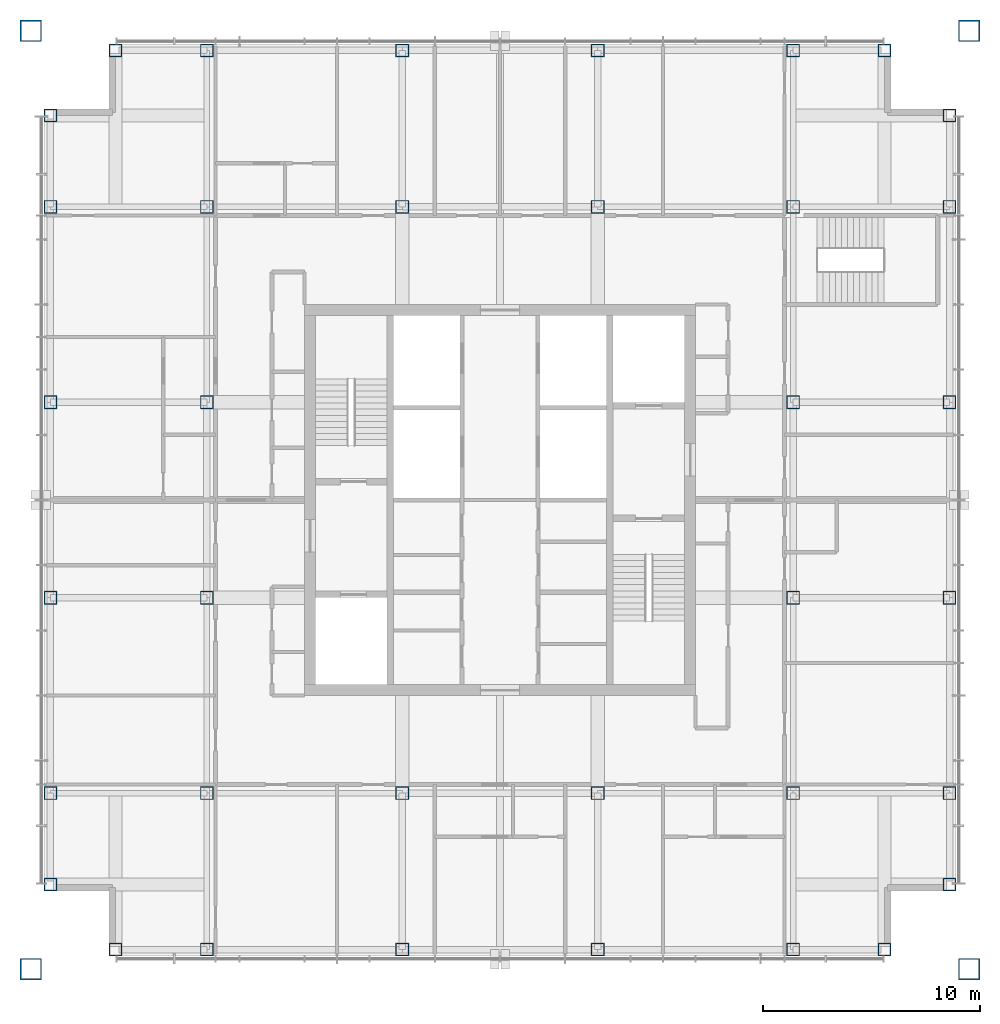
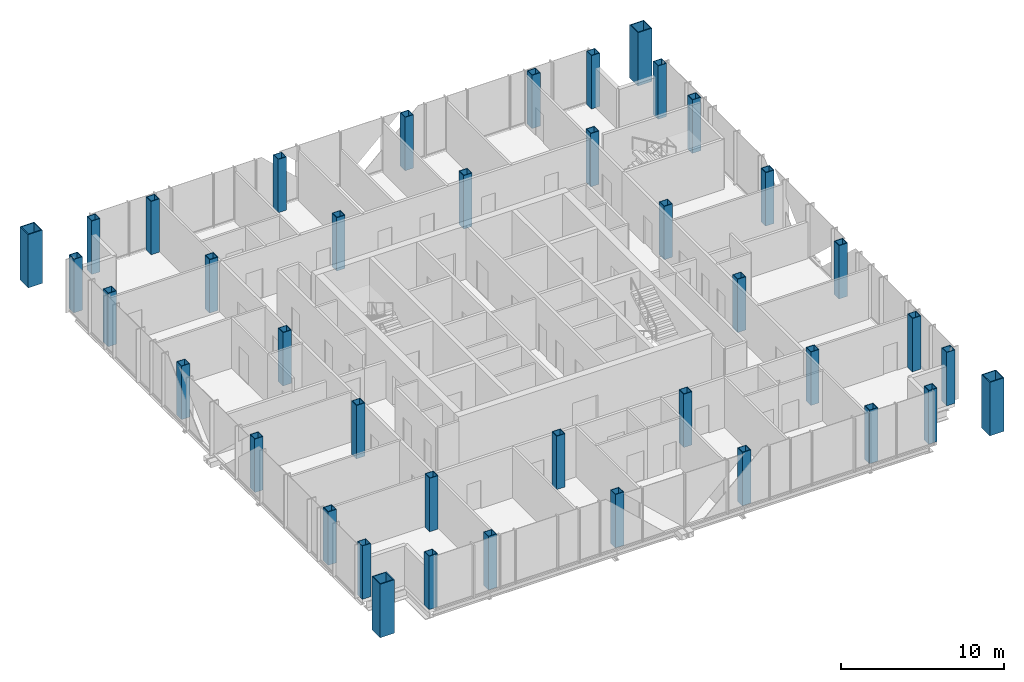
# One storey, part 1 of 12: 40 columns.
"""IFC4 building model written with IfcOpenShell, lengths in metres."""

from ifc_helpers import new_model, si_unit, direction, frame, origin, origin_2d, place, context, subcontext, project, spatial, hollow_rectangle, extrude, material, material_profile, profile_set, type_object, element, save


model = new_model("IFC4")

# Units and contexts
model_context = context("Model", 3, precision=1e-05, world=origin(), true_north=direction((0.0, 1.0)))
body_context = subcontext(model_context, "Body", "Model", "MODEL_VIEW")
ifc_project = project(units=[si_unit("LENGTHUNIT", "METRE"), si_unit("AREAUNIT", "SQUARE_METRE"), si_unit("VOLUMEUNIT", "CUBIC_METRE"), si_unit("PLANEANGLEUNIT", "RADIAN"), si_unit("MASSUNIT", "GRAM", prefix="KILO")], contexts=[model_context])

# Site, building, storey
site_placement = place(None, origin())
site = spatial("IfcSite", under=ifc_project, at=site_placement, CompositionType="ELEMENT")
building_placement = place(site_placement, origin())
building = spatial("IfcBuilding", under=site, at=building_placement, Name="Malebo Sky Hospital", CompositionType="ELEMENT")
storey_placement = place(building_placement, frame((0.0, 0.0, 270.0)))
storey = spatial("IfcBuildingStorey", under=building, at=storey_placement, Name="L65", CompositionType="ELEMENT", Elevation=270.0)

# Columns
ifc_material = material(Name="Steel S460", Category="steel")
ifc_material_profile_1 = material_profile(ifc_material, hollow_rectangle(XDim=0.60009765625, YDim=0.60009765625, WallThickness=0.0400390625, at=origin_2d()), Name="BOX 600x600x40")
ifc_profile_set_1 = profile_set([ifc_material_profile_1], Name="Steel S460")
column_type_1 = type_object("IfcColumnType", Name="INNER COLUMN BOX 600x600x40", PredefinedType="COLUMN", material=ifc_profile_set_1)
for number, where, z_axis, x_axis, name in (
    (1, (46.5, 48.5, 0.0), (0.0, 0.0, 1.0), (1.0, 0.0, 0.0), "Column IC4 L65"),
    (2, (73.5, 48.5, 0.0), (0.0, 0.0, 1.0), (1.0, 0.0, 0.0), "Column IC4 L65"),
    (3, (73.5, 75.5, 0.0), (0.0, 0.0, 1.0), (1.0, 0.0, 0.0), "Column IC4 L65"),
    (4, (46.5, 75.5, 0.0), (0.0, 0.0, 1.0), (1.0, 0.0, 0.0), "Column IC4 L65"),
    (5, (55.5, 48.5, 0.0), (0.0, 0.0, 1.0), (1.0, 0.0, 0.0), "Column IC4 L65"),
    (6, (64.5, 48.5, 0.0), (0.0, 0.0, 1.0), (1.0, 0.0, 0.0), "Column IC4 L65"),
    (7, (55.5, 75.5, 0.0), (0.0, 0.0, 1.0), (1.0, 0.0, 0.0), "Column IC4 L65"),
    (8, (64.5, 75.5, 0.0), (0.0, 0.0, 1.0), (1.0, 0.0, 0.0), "Column IC4 L65"),
    (9, (46.5, 57.5, 0.0), (0.0, 0.0, 1.0), (1.0, 0.0, 0.0), "Column IC4 L65"),
    (10, (46.5, 66.5, 0.0), (0.0, 0.0, 1.0), (1.0, 0.0, 0.0), "Column IC4 L65"),
    (11, (73.5, 57.5, 0.0), (0.0, 0.0, 1.0), (1.0, 0.0, 0.0), "Column IC4 L65"),
    (12, (73.5, 66.5, 0.0), (0.0, 0.0, 1.0), (1.0, 0.0, 0.0), "Column IC4 L65"),
):
    element("IfcColumn", number, at=place(storey_placement, frame(where, z_axis=z_axis, x_axis=x_axis)), inside=storey, type_object=column_type_1, Name=name, PredefinedType="COLUMN", context=body_context, shape_type="SweptSolid", body=[
        extrude(hollow_rectangle(XDim=0.60009765625, YDim=0.60009765625, WallThickness=0.0400390625, at=origin_2d()), origin(), (0.0, 0.0, 1.0), 4.0),
    ])
ifc_material_profile_2 = material_profile(ifc_material, hollow_rectangle(XDim=1.0, YDim=1.0, WallThickness=0.06005859375, at=origin_2d()), Name="BOX 1000x1000x60")
ifc_profile_set_2 = profile_set([ifc_material_profile_2], Name="Steel S460")
column_type_2 = type_object("IfcColumnType", Name="MEGA COLUMN BOX 1000x1000x60", PredefinedType="COLUMN", material=ifc_profile_set_2)
for number, where, z_axis, x_axis, name in (
    (13, (38.39990234375, 40.39990234375, 0.0), (0.0, 0.0, 1.0), (1.0, 0.0, 0.0), "Mega column SW L65"),
    (14, (81.60009765625, 40.39990234375, 0.0), (0.0, 0.0, 1.0), (1.0, 0.0, 0.0), "Mega column SE L65"),
    (15, (81.60009765625, 83.60009765625, 0.0), (0.0, 0.0, 1.0), (1.0, 0.0, 0.0), "Mega column NE L65"),
    (16, (38.39990234375, 83.60009765625, 0.0), (0.0, 0.0, 1.0), (1.0, 0.0, 0.0), "Mega column NW L65"),
):
    element("IfcColumn", number, at=place(storey_placement, frame(where, z_axis=z_axis, x_axis=x_axis)), inside=storey, type_object=column_type_2, Name=name, PredefinedType="COLUMN", context=body_context, shape_type="SweptSolid", body=[
        extrude(hollow_rectangle(XDim=1.0, YDim=1.0, WallThickness=0.06005859375, at=origin_2d()), origin(), (0.0, 0.0, 1.0), 4.0),
    ])
ifc_material_profile_3 = material_profile(ifc_material, hollow_rectangle(XDim=0.60009765625, YDim=0.60009765625, WallThickness=0.0400390625, at=origin_2d()), Name="BOX 600x600x40")
ifc_profile_set_3 = profile_set([ifc_material_profile_3], Name="Steel S460")
column_type_3 = type_object("IfcColumnType", Name="PERIMETER COLUMN BOX 600x600x40", PredefinedType="COLUMN", material=ifc_profile_set_3)
for number, where, z_axis, x_axis, name in (
    (17, (42.300048828125, 41.300048828125, 0.0), (0.0, 0.0, 1.0), (1.0, 0.0, 0.0), "Column PC4 L65"),
    (18, (42.300048828125, 82.699951171875, 0.0), (0.0, 0.0, 1.0), (1.0, 0.0, 0.0), "Column PC4 L65"),
    (19, (39.300048828125, 44.300048828125, 0.0), (0.0, 0.0, 1.0), (1.0, 0.0, 0.0), "Column PC4 L65"),
    (20, (80.699951171875, 44.300048828125, 0.0), (0.0, 0.0, 1.0), (1.0, 0.0, 0.0), "Column PC4 L65"),
    (21, (46.5, 41.300048828125, 0.0), (0.0, 0.0, 1.0), (1.0, 0.0, 0.0), "Column PC4 L65"),
    (22, (46.5, 82.699951171875, 0.0), (0.0, 0.0, 1.0), (1.0, 0.0, 0.0), "Column PC4 L65"),
    (23, (39.300048828125, 48.5, 0.0), (0.0, 0.0, 1.0), (1.0, 0.0, 0.0), "Column PC4 L65"),
    (24, (80.699951171875, 48.5, 0.0), (0.0, 0.0, 1.0), (1.0, 0.0, 0.0), "Column PC4 L65"),
    (25, (55.5, 41.300048828125, 0.0), (0.0, 0.0, 1.0), (1.0, 0.0, 0.0), "Column PC4 L65"),
    (26, (55.5, 82.699951171875, 0.0), (0.0, 0.0, 1.0), (1.0, 0.0, 0.0), "Column PC4 L65"),
    (27, (39.300048828125, 57.5, 0.0), (0.0, 0.0, 1.0), (1.0, 0.0, 0.0), "Column PC4 L65"),
    (28, (80.699951171875, 57.5, 0.0), (0.0, 0.0, 1.0), (1.0, 0.0, 0.0), "Column PC4 L65"),
    (29, (64.5, 41.300048828125, 0.0), (0.0, 0.0, 1.0), (1.0, 0.0, 0.0), "Column PC4 L65"),
    (30, (64.5, 82.699951171875, 0.0), (0.0, 0.0, 1.0), (1.0, 0.0, 0.0), "Column PC4 L65"),
    (31, (39.300048828125, 66.5, 0.0), (0.0, 0.0, 1.0), (1.0, 0.0, 0.0), "Column PC4 L65"),
    (32, (80.699951171875, 66.5, 0.0), (0.0, 0.0, 1.0), (1.0, 0.0, 0.0), "Column PC4 L65"),
    (33, (73.5, 41.300048828125, 0.0), (0.0, 0.0, 1.0), (1.0, 0.0, 0.0), "Column PC4 L65"),
    (34, (73.5, 82.699951171875, 0.0), (0.0, 0.0, 1.0), (1.0, 0.0, 0.0), "Column PC4 L65"),
    (35, (39.300048828125, 75.5, 0.0), (0.0, 0.0, 1.0), (1.0, 0.0, 0.0), "Column PC4 L65"),
    (36, (80.699951171875, 75.5, 0.0), (0.0, 0.0, 1.0), (1.0, 0.0, 0.0), "Column PC4 L65"),
    (37, (77.699951171875, 41.300048828125, 0.0), (0.0, 0.0, 1.0), (1.0, 0.0, 0.0), "Column PC4 L65"),
    (38, (77.699951171875, 82.699951171875, 0.0), (0.0, 0.0, 1.0), (1.0, 0.0, 0.0), "Column PC4 L65"),
    (39, (39.300048828125, 79.699951171875, 0.0), (0.0, 0.0, 1.0), (1.0, 0.0, 0.0), "Column PC4 L65"),
    (40, (80.699951171875, 79.699951171875, 0.0), (0.0, 0.0, 1.0), (1.0, 0.0, 0.0), "Column PC4 L65"),
):
    element("IfcColumn", number, at=place(storey_placement, frame(where, z_axis=z_axis, x_axis=x_axis)), inside=storey, type_object=column_type_3, Name=name, PredefinedType="COLUMN", context=body_context, shape_type="SweptSolid", body=[
        extrude(hollow_rectangle(XDim=0.60009765625, YDim=0.60009765625, WallThickness=0.0400390625, at=origin_2d()), origin(), (0.0, 0.0, 1.0), 4.0),
    ])

save(model, "model.ifc")
